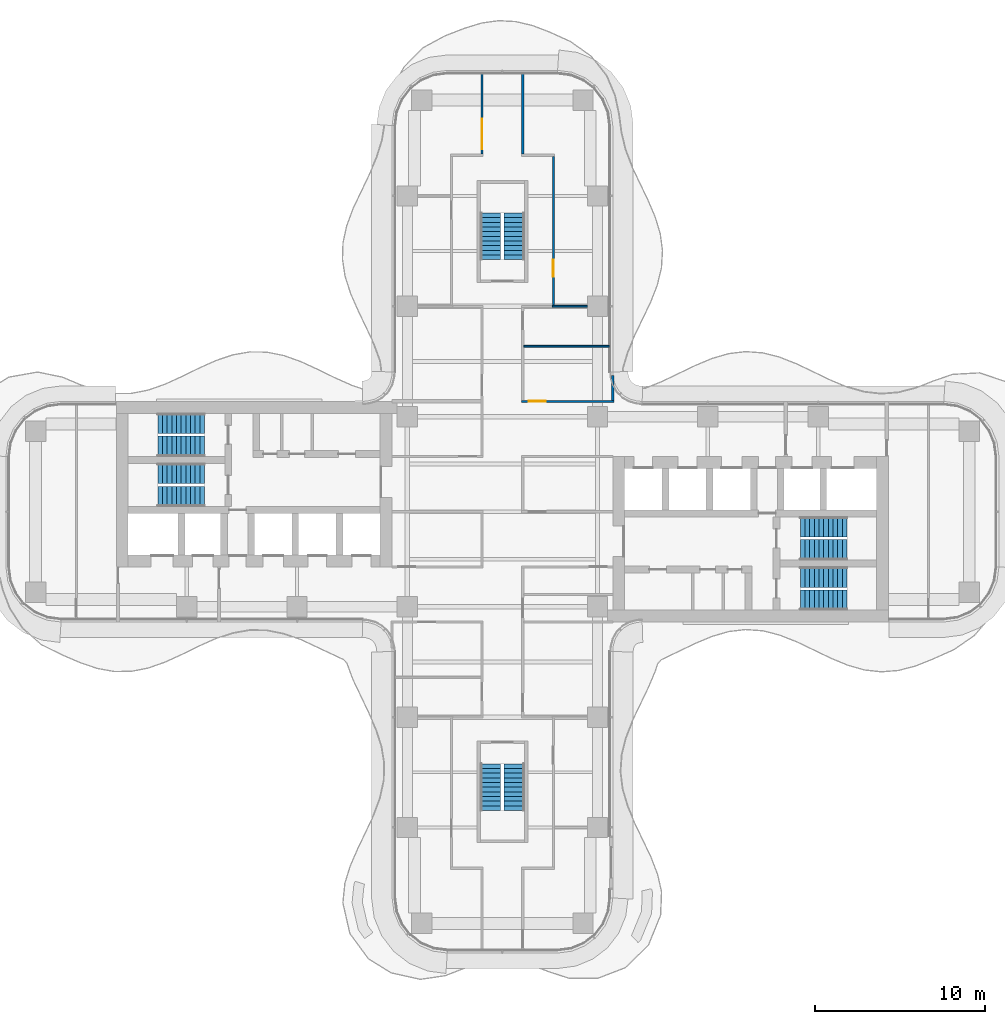
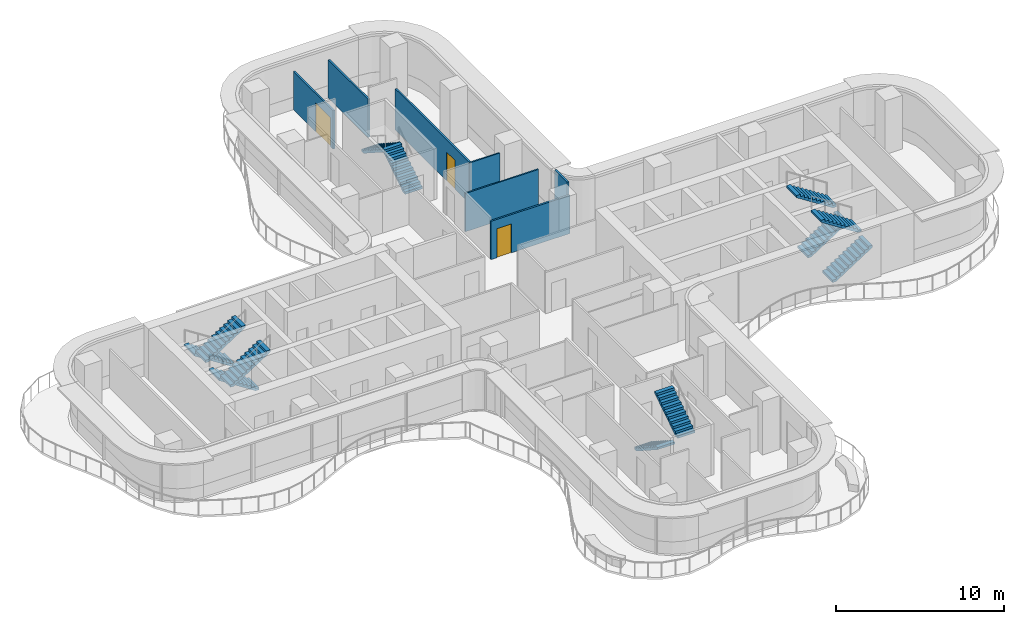
# One storey, part 16 of 18: 12 stair flights, 7 walls, 3 doors, 3 openings, 6 elements without a shape of their own.
"""IFC4 building model written with IfcOpenShell, lengths in metres."""

from ifc_helpers import new_model, si_unit, direction, frame, frame_2d, origin, place, context, subcontext, project, spatial, polyline, rectangle, outline, extrude, source, transform, mapped, material, layer, layer_set, type_object, element, fill, aggregate, save


model = new_model("IFC4")

# Units and contexts
model_context = context("Model", 3, precision=1e-05, world=origin(), true_north=direction((0.0, 1.0)))
body_context = subcontext(model_context, "Body", "Model", "MODEL_VIEW")
ifc_project = project(units=[si_unit("LENGTHUNIT", "METRE"), si_unit("AREAUNIT", "SQUARE_METRE"), si_unit("VOLUMEUNIT", "CUBIC_METRE"), si_unit("PLANEANGLEUNIT", "RADIAN"), si_unit("MASSUNIT", "GRAM", prefix="KILO")], contexts=[model_context])

# Site, building, storey
site_placement = place(None, origin())
site = spatial("IfcSite", under=ifc_project, at=site_placement, CompositionType="ELEMENT")
building_placement = place(site_placement, origin())
building = spatial("IfcBuilding", under=site, at=building_placement, Name="Trellis Farm Tower", CompositionType="ELEMENT")
storey_placement = place(building_placement, frame((0.0, 0.0, 177.60009765625)))
storey = spatial("IfcBuildingStorey", under=building, at=storey_placement, Name="L38", CompositionType="ELEMENT", Elevation=177.60009765625)

# Walls
ifc_material_1 = material(Name="Plasterboard on steel studs, mineral wool", Category="steel")
ifc_layer_1 = layer(ifc_material_1, 0.125)
ifc_layer_set_1 = layer_set([ifc_layer_1], Name="PARTITION 125 STUD EI 60")
wall_type_1 = type_object("IfcWallType", Name="PARTITION 125 STUD EI 60", PredefinedType="PARTITIONING", material=ifc_layer_set_1)
shared_shape_1 = source(origin(), body_context, "Body", "SweptSolid", [
    extrude(rectangle(XDim=1.468994140625, YDim=0.125, at=frame_2d((0.734375, 0.0))), origin(), (0.0, 0.0, 1.0), 3.699951171875),
])
wall_1_placement = place(storey_placement, frame((6.5, 6.5625, 0.0), z_axis=(0.0, 0.0, 1.0), x_axis=(0.0, 1.0, 0.0)))
element("IfcWall", 1, at=wall_1_placement, inside=storey, type_object=wall_type_1, Name="Partition PW1", PredefinedType="PARTITIONING", context=body_context, shape_type="MappedRepresentation", body=[
    mapped(shared_shape_1, transform((0.0, 0.0, 0.0))),
])
ifc_material_2 = material(Name="Plasterboard on steel studs", Category="steel")
ifc_layer_2 = layer(ifc_material_2, 0.10009765625)
ifc_layer_set_2 = layer_set([ifc_layer_2], Name="PARTITION 100 STUD EI 30")
wall_type_2 = type_object("IfcWallType", Name="PARTITION 100 STUD EI 30", PredefinedType="PARTITIONING", material=ifc_layer_set_2)
shared_shape_2 = source(origin(), body_context, "Body", "SweptSolid", [
    extrude(rectangle(XDim=2.0625, YDim=0.10009765625, at=frame_2d((1.03125, 0.0))), origin(), (0.0, 0.0, 1.0), 2.99658203125),
])
wall_2_placement = place(storey_placement, frame((2.9375, 12.10009765625, 0.0), z_axis=(0.0, 0.0, 1.0), x_axis=(1.0, 0.0, 0.0)))
element("IfcWall", 2, at=wall_2_placement, inside=storey, type_object=wall_type_2, Name="Partition PW2", PredefinedType="PARTITIONING", context=body_context, shape_type="MappedRepresentation", body=[
    mapped(shared_shape_2, transform((0.0, 0.0, 0.0))),
])

# Wall, opening, door
shared_shape_3 = source(origin(), body_context, "Body", "SweptSolid", [
    extrude(rectangle(XDim=8.78759765625, YDim=0.125, at=frame_2d((4.393798828125, 0.0))), origin(), (0.0, 0.0, 1.0), 2.99658203125),
])
wall_3_placement = place(storey_placement, frame((3.0, 20.9375, 0.0), z_axis=(0.0, 0.0, 1.0), x_axis=(0.0, -1.0, 0.0)))
wall_3 = element("IfcWall", 3, at=wall_3_placement, inside=storey, type_object=wall_type_1, Name="Partition PW1", PredefinedType="PARTITIONING", context=body_context, shape_type="MappedRepresentation", body=[
    mapped(shared_shape_3, transform((0.0, 0.0, 0.0))),
])
shared_shape_4 = source(origin(), body_context, "Body", "SweptSolid", [
    extrude(rectangle(XDim=1.0, YDim=2.10009765625, at=frame_2d((0.5, 1.050048828125))), frame((0.0, 0.072509765625, 0.0), z_axis=(0.0, -1.0, 0.0), x_axis=(1.0, 0.0, 0.0)), (0.0, 0.0, 1.0), 0.14501953125),
])
opening_1_placement = place(wall_3_placement, frame((6.08740234375, 0.0, 0.0)))
opening_1 = element("IfcOpeningElement", 4, at=opening_1_placement, cuts=wall_3, Name="Opening D114", PredefinedType="OPENING", context=body_context, shape_type="MappedRepresentation", body=[
    mapped(shared_shape_4, transform((0.0, 0.0, 0.0))),
])
ifc_material_3 = material(Name="Fire-rated timber door leaf in a hollow metal frame", Category="wood")
door_type_1 = type_object("IfcDoorType", Name="DOOR 1000x2100 FD30S", OperationType="NOTDEFINED", PredefinedType="DOOR", material=ifc_material_3)
shared_shape_5 = source(origin(), body_context, "Body", "SweptSolid", [
    extrude(rectangle(XDim=1.0, YDim=2.10009765625, at=frame_2d((0.5, 1.050048828125))), frame((0.0, 0.02490234375, 0.0), z_axis=(0.0, -1.0, 0.0), x_axis=(1.0, 0.0, 0.0)), (0.0, 0.0, 1.0), 0.050048828125),
])
door_1_placement = place(opening_1_placement, origin())
door_1 = element("IfcDoor", 5, at=door_1_placement, inside=storey, type_object=door_type_1, Name="Door D114", OperationType="SINGLE_SWING_RIGHT", OverallHeight=2.10009765625, OverallWidth=1.0, PredefinedType="DOOR", context=body_context, shape_type="MappedRepresentation", body=[
    mapped(shared_shape_5, transform((0.0, 0.0, 0.0))),
])
fill(opening_1, door_1)

shared_shape_6 = source(origin(), body_context, "Body", "SweptSolid", [
    extrude(rectangle(XDim=4.737548828125, YDim=0.125, at=frame_2d((2.36865234375, 0.0))), origin(), (0.0, 0.0, 1.0), 2.77978515625),
])
wall_4_placement = place(storey_placement, frame((-1.199951171875, 25.800048828125, 0.0), z_axis=(0.0, 0.0, 1.0), x_axis=(0.0, -1.0, 0.0)))
wall_4 = element("IfcWall", 6, at=wall_4_placement, inside=storey, type_object=wall_type_1, Name="Partition PW1", PredefinedType="PARTITIONING", context=body_context, shape_type="MappedRepresentation", body=[
    mapped(shared_shape_6, transform((0.0, 0.0, 0.0))),
])
shared_shape_7 = source(origin(), body_context, "Body", "SweptSolid", [
    extrude(rectangle(XDim=1.800048828125, YDim=2.10009765625, at=frame_2d((0.89990234375, 1.050048828125))), frame((0.0, 0.072509765625, 0.0), z_axis=(0.0, -1.0, 0.0), x_axis=(1.0, 0.0, 0.0)), (0.0, 0.0, 1.0), 0.14501953125),
])
opening_2_placement = place(wall_4_placement, frame((2.64990234375, 0.0, 0.0)))
opening_2 = element("IfcOpeningElement", 7, at=opening_2_placement, cuts=wall_4, Name="Opening D201", PredefinedType="OPENING", context=body_context, shape_type="MappedRepresentation", body=[
    mapped(shared_shape_7, transform((0.0, 0.0, 0.0))),
])
door_type_2 = type_object("IfcDoorType", Name="DOOR PAIR 1800x2100 FD30S", OperationType="NOTDEFINED", PredefinedType="DOOR", material=ifc_material_3)
shared_shape_8 = source(origin(), body_context, "Body", "SweptSolid", [
    extrude(rectangle(XDim=1.800048828125, YDim=2.10009765625, at=frame_2d((0.89990234375, 1.050048828125))), frame((0.0, 0.02490234375, 0.0), z_axis=(0.0, -1.0, 0.0), x_axis=(1.0, 0.0, 0.0)), (0.0, 0.0, 1.0), 0.050048828125),
])
door_2_placement = place(opening_2_placement, origin())
door_2 = element("IfcDoor", 8, at=door_2_placement, inside=storey, type_object=door_type_2, Name="Door D201", OperationType="DOUBLE_DOOR_SINGLE_SWING", OverallHeight=2.10009765625, OverallWidth=1.800048828125, PredefinedType="DOOR", context=body_context, shape_type="MappedRepresentation", body=[
    mapped(shared_shape_8, transform((0.0, 0.0, 0.0))),
])
fill(opening_2, door_2)

# Wall
wall_5_placement = place(storey_placement, frame((1.199951171875, 25.800048828125, 0.0), z_axis=(0.0, 0.0, 1.0), x_axis=(0.0, -1.0, 0.0)))
element("IfcWall", 9, at=wall_5_placement, inside=storey, type_object=wall_type_1, Name="Partition PW1", PredefinedType="PARTITIONING", context=body_context, shape_type="MappedRepresentation", body=[
    mapped(shared_shape_6, transform((0.0, 0.0, 0.0))),
])

# Wall, opening, door
shared_shape_9 = source(origin(), body_context, "Body", "SweptSolid", [
    extrude(rectangle(XDim=5.425048828125, YDim=0.125, at=frame_2d((2.71240234375, 0.0))), origin(), (0.0, 0.0, 1.0), 2.77978515625),
])
wall_6_placement = place(storey_placement, frame((1.137451171875, 6.5, 0.0), z_axis=(0.0, 0.0, 1.0), x_axis=(1.0, 0.0, 0.0)))
wall_6 = element("IfcWall", 10, at=wall_6_placement, inside=storey, type_object=wall_type_1, Name="Partition PW1", PredefinedType="PARTITIONING", context=body_context, shape_type="MappedRepresentation", body=[
    mapped(shared_shape_9, transform((0.0, 0.0, 0.0))),
])
opening_3_placement = place(wall_6_placement, frame((0.41259765625, 0.0, 0.0)))
opening_3 = element("IfcOpeningElement", 11, at=opening_3_placement, cuts=wall_6, Name="Opening D112", PredefinedType="OPENING", context=body_context, shape_type="MappedRepresentation", body=[
    mapped(shared_shape_4, transform((0.0, 0.0, 0.0))),
])
door_3_placement = place(opening_3_placement, origin())
door_3 = element("IfcDoor", 12, at=door_3_placement, inside=storey, type_object=door_type_1, Name="Door D112", OperationType="SINGLE_SWING_LEFT", OverallHeight=2.10009765625, OverallWidth=1.0, PredefinedType="DOOR", context=body_context, shape_type="MappedRepresentation", body=[
    mapped(shared_shape_5, transform((0.0, 0.0, 0.0))),
])
fill(opening_3, door_3)

# Wall
shared_shape_10 = source(origin(), body_context, "Body", "SweptSolid", [
    extrude(rectangle(XDim=5.03759765625, YDim=0.10009765625, at=frame_2d((2.518798828125, 0.0))), origin(), (0.0, 0.0, 1.0), 2.77978515625),
])
wall_7_placement = place(storey_placement, frame((1.262451171875, 9.75, 0.0), z_axis=(0.0, 0.0, 1.0), x_axis=(1.0, 0.0, 0.0)))
element("IfcWall", 13, at=wall_7_placement, inside=storey, type_object=wall_type_2, Name="Partition PW2", PredefinedType="PARTITIONING", context=body_context, shape_type="MappedRepresentation", body=[
    mapped(shared_shape_10, transform((0.0, 0.0, 0.0))),
])

# Stair, stair flights
ifc_material_4 = material(Name="Concrete C50/60", Category="concrete")
stair_type = type_object("IfcStairType", Name="CORE EXIT STAIR 22 RISERS 177 MM", PredefinedType="HALF_TURN_STAIR", material=ifc_material_4)
placement = place(storey_placement, origin())
stair_1 = element("IfcStair", 14, at=placement, inside=storey, type_object=stair_type, Name="Exit stair N", PredefinedType="HALF_TURN_STAIR")
stair_flight_type = type_object("IfcStairFlightType", Name="STAIR FLIGHT 11 RISERS 177 MM", PredefinedType="STRAIGHT", material=ifc_material_4)
shared_shape_11 = source(origin(), body_context, "Body", "SweptSolid", [
    extrude(outline(polyline([(0.0, 0.0), (0.0, 0.17724609375), (0.27490234375, 0.17724609375), (0.27490234375, 0.3544921875), (0.550048828125, 0.3544921875), (0.550048828125, 0.53173828125), (0.824951171875, 0.53173828125), (0.824951171875, 0.708984375), (1.10009765625, 0.708984375), (1.10009765625, 0.886474609375), (1.375, 0.886474609375), (1.375, 1.063720703125), (1.64990234375, 1.063720703125), (1.64990234375, 1.240966796875), (1.925048828125, 1.240966796875), (1.925048828125, 1.418212890625), (2.199951171875, 1.418212890625), (2.199951171875, 1.595458984375), (2.47509765625, 1.595458984375), (2.47509765625, 1.772705078125), (2.75, 1.772705078125), (2.75, 1.949951171875), (2.75, 1.6181640625), (0.23974609375, 0.0), (0.0, 0.0)])), frame((0.0, 0.60009765625, 0.0), z_axis=(0.0, -1.0, 0.0), x_axis=(1.0, 0.0, 0.0)), (0.0, 0.0, 1.0), 1.199951171875),
])
stair_flight_1_placement = place(storey_placement, frame((0.699951171875, 14.85009765625, 0.0), z_axis=(0.0, 0.0, 1.0), x_axis=(0.0, 1.0, 0.0)))
stair_flight_1 = element("IfcStairFlight", 15, at=stair_flight_1_placement, type_object=stair_flight_type, Name="STN flight 1", NumberOfRisers=11, NumberOfTreads=10, PredefinedType="STRAIGHT", RiserHeight=0.177272727, TreadLength=0.275, context=body_context, shape_type="MappedRepresentation", body=[
    mapped(shared_shape_11, transform((0.0, 0.0, 0.0))),
])
stair_flight_2_placement = place(storey_placement, frame((-0.699951171875, 17.60009765625, 1.949951171875), z_axis=(0.0, 0.0, 1.0), x_axis=(0.0, -1.0, 0.0)))
stair_flight_2 = element("IfcStairFlight", 16, at=stair_flight_2_placement, type_object=stair_flight_type, Name="STN flight 2", NumberOfRisers=11, NumberOfTreads=10, PredefinedType="STRAIGHT", RiserHeight=0.177272727, TreadLength=0.275, context=body_context, shape_type="MappedRepresentation", body=[
    mapped(shared_shape_11, transform((0.0, 0.0, 0.0))),
])
aggregate(stair_1, [stair_flight_1, stair_flight_2])

stair_2 = element("IfcStair", 17, at=placement, inside=storey, type_object=stair_type, Name="Exit stair S", PredefinedType="HALF_TURN_STAIR")
stair_flight_3_placement = place(storey_placement, frame((-0.699951171875, -14.85009765625, 0.0), z_axis=(0.0, 0.0, 1.0), x_axis=(0.0, -1.0, 0.0)))
stair_flight_3 = element("IfcStairFlight", 18, at=stair_flight_3_placement, type_object=stair_flight_type, Name="STS flight 1", NumberOfRisers=11, NumberOfTreads=10, PredefinedType="STRAIGHT", RiserHeight=0.177272727, TreadLength=0.275, context=body_context, shape_type="MappedRepresentation", body=[
    mapped(shared_shape_11, transform((0.0, 0.0, 0.0))),
])
stair_flight_4_placement = place(storey_placement, frame((0.699951171875, -17.60009765625, 1.949951171875), z_axis=(0.0, 0.0, 1.0), x_axis=(0.0, 1.0, 0.0)))
stair_flight_4 = element("IfcStairFlight", 19, at=stair_flight_4_placement, type_object=stair_flight_type, Name="STS flight 2", NumberOfRisers=11, NumberOfTreads=10, PredefinedType="STRAIGHT", RiserHeight=0.177272727, TreadLength=0.275, context=body_context, shape_type="MappedRepresentation", body=[
    mapped(shared_shape_11, transform((0.0, 0.0, 0.0))),
])
aggregate(stair_2, [stair_flight_3, stair_flight_4])

stair_3 = element("IfcStair", 20, at=placement, inside=storey, type_object=stair_type, Name="Exit stair E1", PredefinedType="HALF_TURN_STAIR")
stair_flight_5_placement = place(storey_placement, frame((17.550048828125, -5.199951171875, 0.0), z_axis=(0.0, 0.0, 1.0), x_axis=(1.0, 0.0, 0.0)))
stair_flight_5 = element("IfcStairFlight", 21, at=stair_flight_5_placement, type_object=stair_flight_type, Name="STE1 flight 1", NumberOfRisers=11, NumberOfTreads=10, PredefinedType="STRAIGHT", RiserHeight=0.177272727, TreadLength=0.275, context=body_context, shape_type="MappedRepresentation", body=[
    mapped(shared_shape_11, transform((0.0, 0.0, 0.0))),
])
stair_flight_6_placement = place(storey_placement, frame((20.300048828125, -3.85009765625, 1.949951171875), z_axis=(0.0, 0.0, 1.0), x_axis=(-1.0, 0.0, 0.0)))
stair_flight_6 = element("IfcStairFlight", 22, at=stair_flight_6_placement, type_object=stair_flight_type, Name="STE1 flight 2", NumberOfRisers=11, NumberOfTreads=10, PredefinedType="STRAIGHT", RiserHeight=0.177272727, TreadLength=0.275, context=body_context, shape_type="MappedRepresentation", body=[
    mapped(shared_shape_11, transform((0.0, 0.0, 0.0))),
])
aggregate(stair_3, [stair_flight_5, stair_flight_6])

stair_4 = element("IfcStair", 23, at=placement, inside=storey, type_object=stair_type, Name="Exit stair E2", PredefinedType="HALF_TURN_STAIR")
stair_flight_7_placement = place(storey_placement, frame((17.550048828125, -2.25, 0.0), z_axis=(0.0, 0.0, 1.0), x_axis=(1.0, 0.0, 0.0)))
stair_flight_7 = element("IfcStairFlight", 24, at=stair_flight_7_placement, type_object=stair_flight_type, Name="STE2 flight 1", NumberOfRisers=11, NumberOfTreads=10, PredefinedType="STRAIGHT", RiserHeight=0.177272727, TreadLength=0.275, context=body_context, shape_type="MappedRepresentation", body=[
    mapped(shared_shape_11, transform((0.0, 0.0, 0.0))),
])
stair_flight_8_placement = place(storey_placement, frame((20.300048828125, -0.89990234375, 1.949951171875), z_axis=(0.0, 0.0, 1.0), x_axis=(-1.0, 0.0, 0.0)))
stair_flight_8 = element("IfcStairFlight", 25, at=stair_flight_8_placement, type_object=stair_flight_type, Name="STE2 flight 2", NumberOfRisers=11, NumberOfTreads=10, PredefinedType="STRAIGHT", RiserHeight=0.177272727, TreadLength=0.275, context=body_context, shape_type="MappedRepresentation", body=[
    mapped(shared_shape_11, transform((0.0, 0.0, 0.0))),
])
aggregate(stair_4, [stair_flight_7, stair_flight_8])

stair_5 = element("IfcStair", 26, at=placement, inside=storey, type_object=stair_type, Name="Exit stair W1", PredefinedType="HALF_TURN_STAIR")
stair_flight_9_placement = place(storey_placement, frame((-17.550048828125, 5.199951171875, 0.0), z_axis=(0.0, 0.0, 1.0), x_axis=(-1.0, 0.0, 0.0)))
stair_flight_9 = element("IfcStairFlight", 27, at=stair_flight_9_placement, type_object=stair_flight_type, Name="STW1 flight 1", NumberOfRisers=11, NumberOfTreads=10, PredefinedType="STRAIGHT", RiserHeight=0.177272727, TreadLength=0.275, context=body_context, shape_type="MappedRepresentation", body=[
    mapped(shared_shape_11, transform((0.0, 0.0, 0.0))),
])
stair_flight_10_placement = place(storey_placement, frame((-20.300048828125, 3.85009765625, 1.949951171875), z_axis=(0.0, 0.0, 1.0), x_axis=(1.0, 0.0, 0.0)))
stair_flight_10 = element("IfcStairFlight", 28, at=stair_flight_10_placement, type_object=stair_flight_type, Name="STW1 flight 2", NumberOfRisers=11, NumberOfTreads=10, PredefinedType="STRAIGHT", RiserHeight=0.177272727, TreadLength=0.275, context=body_context, shape_type="MappedRepresentation", body=[
    mapped(shared_shape_11, transform((0.0, 0.0, 0.0))),
])
aggregate(stair_5, [stair_flight_9, stair_flight_10])

stair_6 = element("IfcStair", 29, at=placement, inside=storey, type_object=stair_type, Name="Exit stair W2", PredefinedType="HALF_TURN_STAIR")
stair_flight_11_placement = place(storey_placement, frame((-17.550048828125, 2.25, 0.0), z_axis=(0.0, 0.0, 1.0), x_axis=(-1.0, 0.0, 0.0)))
stair_flight_11 = element("IfcStairFlight", 30, at=stair_flight_11_placement, type_object=stair_flight_type, Name="STW2 flight 1", NumberOfRisers=11, NumberOfTreads=10, PredefinedType="STRAIGHT", RiserHeight=0.177272727, TreadLength=0.275, context=body_context, shape_type="MappedRepresentation", body=[
    mapped(shared_shape_11, transform((0.0, 0.0, 0.0))),
])
stair_flight_12_placement = place(storey_placement, frame((-20.300048828125, 0.89990234375, 1.949951171875), z_axis=(0.0, 0.0, 1.0), x_axis=(1.0, 0.0, 0.0)))
stair_flight_12 = element("IfcStairFlight", 31, at=stair_flight_12_placement, type_object=stair_flight_type, Name="STW2 flight 2", NumberOfRisers=11, NumberOfTreads=10, PredefinedType="STRAIGHT", RiserHeight=0.177272727, TreadLength=0.275, context=body_context, shape_type="MappedRepresentation", body=[
    mapped(shared_shape_11, transform((0.0, 0.0, 0.0))),
])
aggregate(stair_6, [stair_flight_11, stair_flight_12])

save(model, "model.ifc")
